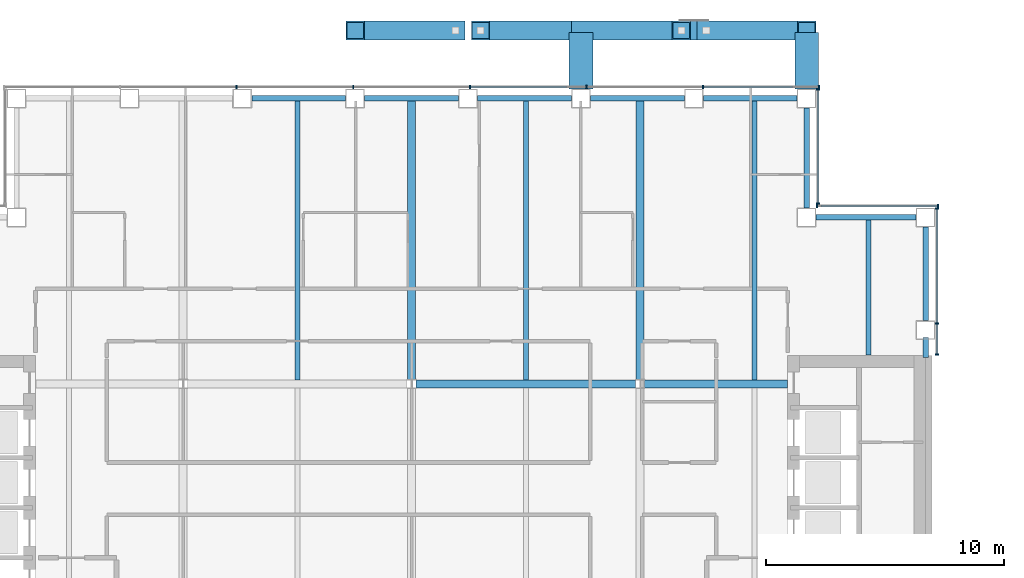
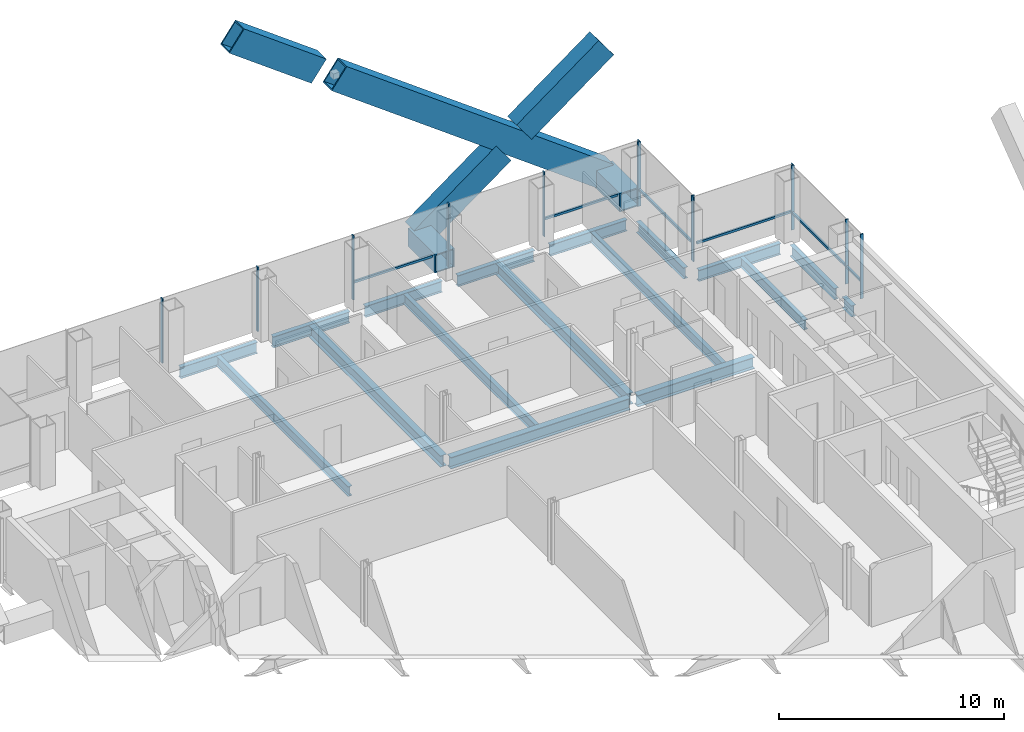
# One storey, part 8 of 16: 23 members, 19 beams, 4 elements without a shape of their own.
"""IFC4 building model written with IfcOpenShell, lengths in metres."""

from ifc_helpers import new_model, si_unit, direction, frame, origin, origin_2d, place, context, subcontext, project, spatial, rectangle, hollow_rectangle, i_section, extrude, material, material_profile, profile_set, type_object, element, aggregate, save


model = new_model("IFC4")

# Units and contexts
model_context = context("Model", 3, precision=1e-05, world=origin(), true_north=direction((0.0, 1.0)))
body_context = subcontext(model_context, "Body", "Model", "MODEL_VIEW")
ifc_project = project(units=[si_unit("LENGTHUNIT", "METRE"), si_unit("AREAUNIT", "SQUARE_METRE"), si_unit("VOLUMEUNIT", "CUBIC_METRE"), si_unit("PLANEANGLEUNIT", "RADIAN"), si_unit("MASSUNIT", "GRAM", prefix="KILO")], contexts=[model_context])

# Site, building, storey
site_placement = place(None, origin())
site = spatial("IfcSite", under=ifc_project, at=site_placement, CompositionType="ELEMENT")
building_placement = place(site_placement, origin())
building = spatial("IfcBuilding", under=site, at=building_placement, Name="Cobrizo Arcos Hotel Tower", CompositionType="ELEMENT")
storey_placement = place(building_placement, frame((0.0, 0.0, 172.5)))
storey = spatial("IfcBuildingStorey", under=building, at=storey_placement, Name="L44", CompositionType="ELEMENT", Elevation=172.5)

# Beams
ifc_material_1 = material(Name="Steel ASTM A572 Grade 50", Category="steel")
ifc_material_profile_1 = material_profile(ifc_material_1, hollow_rectangle(XDim=1.0, YDim=1.0, WallThickness=0.06005859375, at=origin_2d()), Name="BOX 1000X1000X60")
ifc_profile_set_1 = profile_set([ifc_material_profile_1], Name="Steel ASTM A572 Grade 50")
beam_type_1 = type_object("IfcBeamType", Name="BOX 1000X1000X60 brace connector strut", PredefinedType="BEAM", material=ifc_profile_set_1)
for number, where, z_axis, x_axis, name in (
    (1, (7.1142578125, 21.989990234375, 0.5), (0.0, 1.0, 0.0), (-1.0, 0.0, 0.0), "Perimeter brace stub BS1, zone Z3, north face, offset +7.11 m, L44"),
    (2, (16.60009765625, 21.989990234375, 0.5), (0.0, 1.0, 0.0), (-1.0, 0.0, 0.0), "Perimeter brace stub BS1, zone Z3, north face, offset +16.60 m, L44"),
):
    element("IfcBeam", number, at=place(storey_placement, frame(where, z_axis=z_axis, x_axis=x_axis)), inside=storey, type_object=beam_type_1, Name=name, PredefinedType="BEAM", context=body_context, shape_type="SweptSolid", body=[
        extrude(hollow_rectangle(XDim=1.0, YDim=1.0, WallThickness=0.06005859375, at=origin_2d()), origin(), (0.0, 0.0, 1.0), 2.380126953125),
    ])

# Members
ifc_material_profile_2 = material_profile(ifc_material_1, hollow_rectangle(XDim=0.800048828125, YDim=1.300048828125, WallThickness=0.06005859375, at=origin_2d()), Name="BOX 800X1300X60")
ifc_profile_set_2 = profile_set([ifc_material_profile_2], Name="Steel ASTM A572 Grade 50")
member_type_1 = type_object("IfcMemberType", Name="BOX 800X1300X60 perimeter brace", PredefinedType="BRACE", material=ifc_profile_set_2)
member_1_placement = place(storey_placement, frame((16.60009765625, 24.449951171875, 0.5), z_axis=(-0.804630166974, 0.0, 0.593776299961), x_axis=(0.0, -1.0, 0.0)))
element("IfcMember", 3, at=member_1_placement, inside=storey, type_object=member_type_1, Name="Perimeter brace PBR3, zone Z3, north face, no. 14", PredefinedType="BRACE", context=body_context, shape_type="SweptSolid", body=[
    extrude(hollow_rectangle(XDim=0.800048828125, YDim=1.300048828125, WallThickness=0.06005859375, at=origin_2d()), origin(), (0.0, 0.0, 1.0), 17.033447265625),
])
member_2_placement = place(storey_placement, frame((1.84814453125, 24.449951171875, 11.385986328125), z_axis=(-0.804607444048, 0.0, 0.593807090715), x_axis=(0.0, -1.0, 0.0)))
element("IfcMember", 4, at=member_2_placement, inside=storey, type_object=member_type_1, Name="Perimeter brace PBR3, zone Z3, north face, no. 14b", PredefinedType="BRACE", context=body_context, shape_type="SweptSolid", body=[
    extrude(hollow_rectangle(XDim=0.800048828125, YDim=1.300048828125, WallThickness=0.06005859375, at=origin_2d()), origin(), (0.0, 0.0, 1.0), 5.244140625),
])
for number, where, z_axis, x_axis, name in (
    (5, (7.1142578125, 24.449951171875, 0.5), (0.804623858684, 0.0, 0.593784848271), (0.0, 1.0, 0.0), "Perimeter brace PBR3, zone Z3, north face, no. 15"),
    (6, (12.38037109375, 24.449951171875, 4.385986328125), (0.804623858684, 0.0, 0.593784848271), (0.0, 1.0, 0.0), "Perimeter brace PBR3, zone Z3, north face, no. 15b"),
):
    element("IfcMember", number, at=place(storey_placement, frame(where, z_axis=z_axis, x_axis=x_axis)), inside=storey, type_object=member_type_1, Name=name, PredefinedType="BRACE", context=body_context, shape_type="SweptSolid", body=[
        extrude(hollow_rectangle(XDim=0.800048828125, YDim=1.300048828125, WallThickness=0.06005859375, at=origin_2d()), origin(), (0.0, 0.0, 1.0), 5.244384765625),
    ])

# Curtain wall, members
ifc_material_2 = material(Name="Aluminium 6063-T6 anodised bronze", Category="aluminium")
curtain_wall_type = type_object("IfcCurtainWallType", Name="CW-A guest facade", PredefinedType="NOTDEFINED", material=ifc_material_2)
curtain_wall_1_placement = place(storey_placement, origin())
curtain_wall_1 = element("IfcCurtainWall", 7, at=curtain_wall_1_placement, inside=storey, type_object=curtain_wall_type, Name="CW-A L44 E face", PredefinedType="NOTDEFINED")
ifc_material_profile_3 = material_profile(ifc_material_2, rectangle(XDim=0.14990234375, YDim=0.06005859375, at=origin_2d()), Name="CW-A mullion 150x60")
ifc_profile_set_3 = profile_set([ifc_material_profile_3], Name="Aluminium 6063-T6 anodised bronze")
member_type_2 = type_object("IfcMemberType", Name="CW-A mullion 150x60", PredefinedType="MULLION", material=ifc_profile_set_3)
member_3_placement = place(storey_placement, frame((22.074951171875, 10.830078125, 0.0), z_axis=(0.0, 0.0, 1.0), x_axis=(1.0, 0.0, 0.0)))
member_3 = element("IfcMember", 8, at=member_3_placement, type_object=member_type_2, Name="CW-A mullion 1", PredefinedType="MULLION", context=body_context, shape_type="SweptSolid", body=[
    extrude(rectangle(XDim=0.14990234375, YDim=0.06005859375, at=origin_2d()), origin(), (0.0, 0.0, 1.0), 3.5),
])
member_4_placement = place(storey_placement, frame((22.074951171875, 12.142822265625, 0.0), z_axis=(0.0, 0.0, 1.0), x_axis=(1.0, 0.0, 0.0)))
member_4 = element("IfcMember", 9, at=member_4_placement, type_object=member_type_2, Name="CW-A mullion 2", PredefinedType="MULLION", context=body_context, shape_type="SweptSolid", body=[
    extrude(rectangle(XDim=0.14990234375, YDim=0.06005859375, at=origin_2d()), origin(), (0.0, 0.0, 1.0), 3.5),
])
member_5_placement = place(storey_placement, frame((22.074951171875, 16.969970703125, 0.0), z_axis=(0.0, 0.0, 1.0), x_axis=(1.0, 0.0, 0.0)))
member_5 = element("IfcMember", 10, at=member_5_placement, type_object=member_type_2, Name="CW-A mullion 3", PredefinedType="MULLION", context=body_context, shape_type="SweptSolid", body=[
    extrude(rectangle(XDim=0.14990234375, YDim=0.06005859375, at=origin_2d()), origin(), (0.0, 0.0, 1.0), 3.5),
])

curtain_wall_2_placement = place(storey_placement, origin())
curtain_wall_2 = element("IfcCurtainWall", 11, at=curtain_wall_2_placement, inside=storey, type_object=curtain_wall_type, Name="CW-A L44 N face", PredefinedType="NOTDEFINED")
member_6_placement = place(storey_placement, frame((22.1201171875, 17.074951171875, 0.0), z_axis=(0.0, 0.0, 1.0), x_axis=(0.0, 1.0, 0.0)))
member_6 = element("IfcMember", 12, at=member_6_placement, type_object=member_type_2, Name="CW-A mullion 1", PredefinedType="MULLION", context=body_context, shape_type="SweptSolid", body=[
    extrude(rectangle(XDim=0.14990234375, YDim=0.06005859375, at=origin_2d()), origin(), (0.0, 0.0, 1.0), 3.5),
])
member_7_placement = place(storey_placement, frame((17.030029296875, 17.074951171875, 0.0), z_axis=(0.0, 0.0, 1.0), x_axis=(0.0, 1.0, 0.0)))
member_7 = element("IfcMember", 13, at=member_7_placement, type_object=member_type_2, Name="CW-A mullion 2", PredefinedType="MULLION", context=body_context, shape_type="SweptSolid", body=[
    extrude(rectangle(XDim=0.14990234375, YDim=0.06005859375, at=origin_2d()), origin(), (0.0, 0.0, 1.0), 3.5),
])

curtain_wall_3_placement = place(storey_placement, origin())
curtain_wall_3 = element("IfcCurtainWall", 14, at=curtain_wall_3_placement, inside=storey, type_object=curtain_wall_type, Name="CW-A L44 E face", PredefinedType="NOTDEFINED")
member_8_placement = place(storey_placement, frame((17.074951171875, 17.179931640625, 0.0), z_axis=(0.0, 0.0, 1.0), x_axis=(1.0, 0.0, 0.0)))
member_8 = element("IfcMember", 15, at=member_8_placement, type_object=member_type_2, Name="CW-A mullion 1", PredefinedType="MULLION", context=body_context, shape_type="SweptSolid", body=[
    extrude(rectangle(XDim=0.14990234375, YDim=0.06005859375, at=origin_2d()), origin(), (0.0, 0.0, 1.0), 3.5),
])
member_9_placement = place(storey_placement, frame((17.074951171875, 21.969970703125, 0.0), z_axis=(0.0, 0.0, 1.0), x_axis=(1.0, 0.0, 0.0)))
member_9 = element("IfcMember", 16, at=member_9_placement, type_object=member_type_2, Name="CW-A mullion 2", PredefinedType="MULLION", context=body_context, shape_type="SweptSolid", body=[
    extrude(rectangle(XDim=0.14990234375, YDim=0.06005859375, at=origin_2d()), origin(), (0.0, 0.0, 1.0), 3.5),
])

curtain_wall_4_placement = place(storey_placement, origin())
curtain_wall_4 = element("IfcCurtainWall", 17, at=curtain_wall_4_placement, inside=storey, type_object=curtain_wall_type, Name="CW-A L44 N face", PredefinedType="NOTDEFINED")
member_10_placement = place(storey_placement, frame((17.1201171875, 22.074951171875, 0.0), z_axis=(0.0, 0.0, 1.0), x_axis=(0.0, 1.0, 0.0)))
member_10 = element("IfcMember", 18, at=member_10_placement, type_object=member_type_2, Name="CW-A mullion 1", PredefinedType="MULLION", context=body_context, shape_type="SweptSolid", body=[
    extrude(rectangle(XDim=0.14990234375, YDim=0.06005859375, at=origin_2d()), origin(), (0.0, 0.0, 1.0), 3.5),
])
member_11_placement = place(storey_placement, frame((12.25, 22.074951171875, 0.0), z_axis=(0.0, 0.0, 1.0), x_axis=(0.0, 1.0, 0.0)))
member_11 = element("IfcMember", 19, at=member_11_placement, type_object=member_type_2, Name="CW-A mullion 2", PredefinedType="MULLION", context=body_context, shape_type="SweptSolid", body=[
    extrude(rectangle(XDim=0.14990234375, YDim=0.06005859375, at=origin_2d()), origin(), (0.0, 0.0, 1.0), 3.5),
])
member_12_placement = place(storey_placement, frame((7.35009765625, 22.074951171875, 0.0), z_axis=(0.0, 0.0, 1.0), x_axis=(0.0, 1.0, 0.0)))
member_12 = element("IfcMember", 20, at=member_12_placement, type_object=member_type_2, Name="CW-A mullion 3", PredefinedType="MULLION", context=body_context, shape_type="SweptSolid", body=[
    extrude(rectangle(XDim=0.14990234375, YDim=0.06005859375, at=origin_2d()), origin(), (0.0, 0.0, 1.0), 3.5),
])
member_13_placement = place(storey_placement, frame((2.449951171875, 22.074951171875, 0.0), z_axis=(0.0, 0.0, 1.0), x_axis=(0.0, 1.0, 0.0)))
member_13 = element("IfcMember", 21, at=member_13_placement, type_object=member_type_2, Name="CW-A mullion 4", PredefinedType="MULLION", context=body_context, shape_type="SweptSolid", body=[
    extrude(rectangle(XDim=0.14990234375, YDim=0.06005859375, at=origin_2d()), origin(), (0.0, 0.0, 1.0), 3.5),
])
member_14_placement = place(storey_placement, frame((-2.449951171875, 22.074951171875, 0.0), z_axis=(0.0, 0.0, 1.0), x_axis=(0.0, 1.0, 0.0)))
member_14 = element("IfcMember", 22, at=member_14_placement, type_object=member_type_2, Name="CW-A mullion 5", PredefinedType="MULLION", context=body_context, shape_type="SweptSolid", body=[
    extrude(rectangle(XDim=0.14990234375, YDim=0.06005859375, at=origin_2d()), origin(), (0.0, 0.0, 1.0), 3.5),
])
member_15_placement = place(storey_placement, frame((-7.35009765625, 22.074951171875, 0.0), z_axis=(0.0, 0.0, 1.0), x_axis=(0.0, 1.0, 0.0)))
member_15 = element("IfcMember", 23, at=member_15_placement, type_object=member_type_2, Name="CW-A mullion 6", PredefinedType="MULLION", context=body_context, shape_type="SweptSolid", body=[
    extrude(rectangle(XDim=0.14990234375, YDim=0.06005859375, at=origin_2d()), origin(), (0.0, 0.0, 1.0), 3.5),
])

# Member
ifc_material_profile_4 = material_profile(ifc_material_2, rectangle(XDim=0.10009765625, YDim=0.1201171875, at=origin_2d()), Name="CW-A transom 120x100")
ifc_profile_set_4 = profile_set([ifc_material_profile_4], Name="Aluminium 6063-T6 anodised bronze")
member_type_3 = type_object("IfcMemberType", Name="CW-A transom 120x100", PredefinedType="USERDEFINED", material=ifc_profile_set_4)
member_16_placement = place(storey_placement, frame((22.074951171875, 10.860107421875, 0.929931640625), z_axis=(0.0, 1.0, 0.0), x_axis=(-1.0, 0.0, 0.0)))
member_16 = element("IfcMember", 24, at=member_16_placement, type_object=member_type_3, Name="CW-A transom 1557", ObjectType="TRANSOM", PredefinedType="USERDEFINED", context=body_context, shape_type="SweptSolid", body=[
    extrude(rectangle(XDim=0.10009765625, YDim=0.1201171875, at=origin_2d()), origin(), (0.0, 0.0, 1.0), 1.252685546875),
])

member_17_placement = place(storey_placement, frame((22.074951171875, 12.1728515625, 0.929931640625), z_axis=(0.0, 1.0, 0.0), x_axis=(-1.0, 0.0, 0.0)))
member_17 = element("IfcMember", 25, at=member_17_placement, type_object=member_type_3, Name="CW-A transom 1558", ObjectType="TRANSOM", PredefinedType="USERDEFINED", context=body_context, shape_type="SweptSolid", body=[
    extrude(rectangle(XDim=0.10009765625, YDim=0.1201171875, at=origin_2d()), origin(), (0.0, 0.0, 1.0), 4.76708984375),
])

aggregate(curtain_wall_1, [member_3, member_4, member_5, member_16, member_17])

member_18_placement = place(storey_placement, frame((22.090087890625, 17.074951171875, 0.929931640625), z_axis=(-1.0, 0.0, 0.0), x_axis=(0.0, -1.0, 0.0)))
member_18 = element("IfcMember", 26, at=member_18_placement, type_object=member_type_3, Name="CW-A transom 1559", ObjectType="TRANSOM", PredefinedType="USERDEFINED", context=body_context, shape_type="SweptSolid", body=[
    extrude(rectangle(XDim=0.10009765625, YDim=0.1201171875, at=origin_2d()), origin(), (0.0, 0.0, 1.0), 4.89013671875),
])

aggregate(curtain_wall_2, [member_6, member_7, member_18])

member_19_placement = place(storey_placement, frame((17.074951171875, 17.2099609375, 0.929931640625), z_axis=(0.0, 1.0, 0.0), x_axis=(-1.0, 0.0, 0.0)))
member_19 = element("IfcMember", 27, at=member_19_placement, type_object=member_type_3, Name="CW-A transom 1560", ObjectType="TRANSOM", PredefinedType="USERDEFINED", context=body_context, shape_type="SweptSolid", body=[
    extrude(rectangle(XDim=0.10009765625, YDim=0.1201171875, at=origin_2d()), origin(), (0.0, 0.0, 1.0), 4.679931640625),
])

aggregate(curtain_wall_3, [member_8, member_9, member_19])

member_20_placement = place(storey_placement, frame((16.0, 22.074951171875, 0.929931640625), z_axis=(-1.0, 0.0, 0.0), x_axis=(0.0, -1.0, 0.0)))
member_20 = element("IfcMember", 28, at=member_20_placement, type_object=member_type_3, Name="CW-A transom 1561", ObjectType="TRANSOM", PredefinedType="USERDEFINED", context=body_context, shape_type="SweptSolid", body=[
    extrude(rectangle(XDim=0.10009765625, YDim=0.1201171875, at=origin_2d()), origin(), (0.0, 0.0, 1.0), 3.719970703125),
])

member_21_placement = place(storey_placement, frame((6.514404296875, 22.074951171875, 0.929931640625), z_axis=(-1.0, 0.0, 0.0), x_axis=(0.0, -1.0, 0.0)))
member_21 = element("IfcMember", 29, at=member_21_placement, type_object=member_type_3, Name="CW-A transom 1563", ObjectType="TRANSOM", PredefinedType="USERDEFINED", context=body_context, shape_type="SweptSolid", body=[
    extrude(rectangle(XDim=0.10009765625, YDim=0.1201171875, at=origin_2d()), origin(), (0.0, 0.0, 1.0), 4.034423828125),
])

aggregate(curtain_wall_4, [member_10, member_11, member_12, member_13, member_14, member_15, member_20, member_21])

# Beams
ifc_material_3 = material(Name="Steel ASTM A992 Grade 50", Category="steel")
ifc_material_profile_5 = material_profile(ifc_material_3, i_section(OverallWidth=0.209228515625, OverallDepth=0.533447265625, WebThickness=0.01025390625, FlangeThickness=0.015625, at=origin_2d()), Name="W21X62")
ifc_profile_set_5 = profile_set([ifc_material_profile_5], Name="Steel ASTM A992 Grade 50")
beam_type_2 = type_object("IfcBeamType", Name="W21X62 joist", PredefinedType="JOIST", material=ifc_profile_set_5)
for number, where, z_axis, x_axis, name in (
    (30, (-4.800048828125, 9.763916015625, -0.416748046875), (0.0, 1.0, 0.0), (-1.0, 0.0, 0.0), "Floor joist J1, L44, no. 010"),
    (31, (4.800048828125, 9.763916015625, -0.416748046875), (0.0, 1.0, 0.0), (-1.0, 0.0, 0.0), "Floor joist J1, L44, no. 014"),
    (32, (14.39990234375, 9.763916015625, -0.416748046875), (0.0, 1.0, 0.0), (-1.0, 0.0, 0.0), "Floor joist J1, L44, no. 018"),
):
    element("IfcBeam", number, at=place(storey_placement, frame(where, z_axis=z_axis, x_axis=x_axis)), inside=storey, type_object=beam_type_2, Name=name, PredefinedType="JOIST", context=body_context, shape_type="SweptSolid", body=[
        extrude(i_section(OverallWidth=0.209228515625, OverallDepth=0.533447265625, WebThickness=0.01025390625, FlangeThickness=0.015625, at=origin_2d()), origin(), (0.0, 0.0, 1.0), 11.74609375),
    ])
beam_1_placement = place(storey_placement, frame((19.199951171875, 10.81005859375, -0.416748046875), z_axis=(0.0, 1.0, 0.0), x_axis=(-1.0, 0.0, 0.0)))
element("IfcBeam", 33, at=beam_1_placement, inside=storey, type_object=beam_type_2, Name="Floor joist J1, L44, no. 020", PredefinedType="JOIST", context=body_context, shape_type="SweptSolid", body=[
    extrude(i_section(OverallWidth=0.209228515625, OverallDepth=0.533447265625, WebThickness=0.01025390625, FlangeThickness=0.015625, at=origin_2d()), origin(), (0.0, 0.0, 1.0), 5.699951171875),
])
ifc_material_profile_6 = material_profile(ifc_material_3, i_section(OverallWidth=0.32763671875, OverallDepth=0.622314453125, WebThickness=0.015380859375, FlangeThickness=0.0244140625, at=origin_2d()), Name="W24X131")
ifc_profile_set_6 = profile_set([ifc_material_profile_6], Name="Steel ASTM A992 Grade 50")
beam_type_3 = type_object("IfcBeamType", Name="W24X131 girder", PredefinedType="BEAM", material=ifc_profile_set_6)
beam_2_placement = place(storey_placement, frame((0.186767578125, 9.60009765625, -0.461181640625), z_axis=(1.0, 0.0, 0.0), x_axis=(0.0, 1.0, 0.0)))
element("IfcBeam", 34, at=beam_2_placement, inside=storey, type_object=beam_type_3, Name="Floor girder G1, L44, no. 011", PredefinedType="BEAM", context=body_context, shape_type="SweptSolid", body=[
    extrude(i_section(OverallWidth=0.32763671875, OverallDepth=0.622314453125, WebThickness=0.015380859375, FlangeThickness=0.0244140625, at=origin_2d()), origin(), (0.0, 0.0, 1.0), 9.2265625),
])
beam_3_placement = place(storey_placement, frame((9.78662109375, 9.60009765625, -0.461181640625), z_axis=(1.0, 0.0, 0.0), x_axis=(0.0, 1.0, 0.0)))
element("IfcBeam", 35, at=beam_3_placement, inside=storey, type_object=beam_type_3, Name="Floor girder G1, L44, no. 012", PredefinedType="BEAM", context=body_context, shape_type="SweptSolid", body=[
    extrude(i_section(OverallWidth=0.32763671875, OverallDepth=0.622314453125, WebThickness=0.015380859375, FlangeThickness=0.0244140625, at=origin_2d()), origin(), (0.0, 0.0, 1.0), 6.00341796875),
])
for number, where, z_axis, x_axis, name in (
    (36, (0.0, 9.78662109375, -0.461181640625), (0.0, 1.0, 0.0), (-1.0, 0.0, 0.0), "Floor girder G1, L44, no. 020"),
    (37, (9.60009765625, 9.78662109375, -0.461181640625), (0.0, 1.0, 0.0), (-1.0, 0.0, 0.0), "Floor girder G1, L44, no. 024"),
):
    element("IfcBeam", number, at=place(storey_placement, frame(where, z_axis=z_axis, x_axis=x_axis)), inside=storey, type_object=beam_type_3, Name=name, PredefinedType="BEAM", context=body_context, shape_type="SweptSolid", body=[
        extrude(i_section(OverallWidth=0.32763671875, OverallDepth=0.622314453125, WebThickness=0.015380859375, FlangeThickness=0.0244140625, at=origin_2d()), origin(), (0.0, 0.0, 1.0), 11.723388671875),
    ])
ifc_material_profile_7 = material_profile(ifc_material_3, i_section(OverallWidth=0.228271484375, OverallDepth=0.607177734375, WebThickness=0.01123046875, FlangeThickness=0.017333984375, at=origin_2d()), Name="W24X76")
ifc_profile_set_7 = profile_set([ifc_material_profile_7], Name="Steel ASTM A992 Grade 50")
beam_type_4 = type_object("IfcBeamType", Name="W24X76 spandrel", PredefinedType="SPANDREL", material=ifc_profile_set_7)
beam_4_placement = place(storey_placement, frame((21.60009765625, 10.7099609375, -0.45361328125), z_axis=(0.0, 1.0, 0.0), x_axis=(-1.0, 0.0, 0.0)))
element("IfcBeam", 38, at=beam_4_placement, inside=storey, type_object=beam_type_4, Name="Spandrel beam W24X76, L44, no. 012", PredefinedType="SPANDREL", context=body_context, shape_type="SweptSolid", body=[
    extrude(i_section(OverallWidth=0.228271484375, OverallDepth=0.607177734375, WebThickness=0.01123046875, FlangeThickness=0.017333984375, at=origin_2d()), origin(), (0.0, 0.0, 1.0), 0.846923828125),
])
beam_5_placement = place(storey_placement, frame((21.60009765625, 12.257080078125, -0.45361328125), z_axis=(0.0, 1.0, 0.0), x_axis=(-1.0, 0.0, 0.0)))
element("IfcBeam", 39, at=beam_5_placement, inside=storey, type_object=beam_type_4, Name="Spandrel beam W24X76, L44, no. 013", PredefinedType="SPANDREL", context=body_context, shape_type="SweptSolid", body=[
    extrude(i_section(OverallWidth=0.228271484375, OverallDepth=0.607177734375, WebThickness=0.01123046875, FlangeThickness=0.017333984375, at=origin_2d()), origin(), (0.0, 0.0, 1.0), 3.94287109375),
])
for number, where, z_axis, x_axis, name in (
    (40, (21.199951171875, 16.60009765625, -0.45361328125), (-1.0, 0.0, 0.0), (0.0, -1.0, 0.0), "Spandrel beam W24X76, L44, no. 014"),
    (41, (16.60009765625, 17.0, -0.45361328125), (0.0, 1.0, 0.0), (-1.0, 0.0, 0.0), "Spandrel beam W24X76, L44, no. 015"),
):
    element("IfcBeam", number, at=place(storey_placement, frame(where, z_axis=z_axis, x_axis=x_axis)), inside=storey, type_object=beam_type_4, Name=name, PredefinedType="SPANDREL", context=body_context, shape_type="SweptSolid", body=[
        extrude(i_section(OverallWidth=0.228271484375, OverallDepth=0.607177734375, WebThickness=0.01123046875, FlangeThickness=0.017333984375, at=origin_2d()), origin(), (0.0, 0.0, 1.0), 4.199951171875),
    ])
beam_6_placement = place(storey_placement, frame((16.199951171875, 21.60009765625, -0.45361328125), z_axis=(-1.0, 0.0, 0.0), x_axis=(0.0, -1.0, 0.0)))
element("IfcBeam", 42, at=beam_6_placement, inside=storey, type_object=beam_type_4, Name="Spandrel beam W24X76, L44, no. 016", PredefinedType="SPANDREL", context=body_context, shape_type="SweptSolid", body=[
    extrude(i_section(OverallWidth=0.228271484375, OverallDepth=0.607177734375, WebThickness=0.01123046875, FlangeThickness=0.017333984375, at=origin_2d()), origin(), (0.0, 0.0, 1.0), 3.94287109375),
])
for number, where, z_axis, x_axis, name in (
    (43, (11.45703125, 21.60009765625, -0.45361328125), (-1.0, 0.0, 0.0), (0.0, -1.0, 0.0), "Spandrel beam W24X76, L44, no. 017"),
    (44, (6.714111328125, 21.60009765625, -0.45361328125), (-1.0, 0.0, 0.0), (0.0, -1.0, 0.0), "Spandrel beam W24X76, L44, no. 018"),
):
    element("IfcBeam", number, at=place(storey_placement, frame(where, z_axis=z_axis, x_axis=x_axis)), inside=storey, type_object=beam_type_4, Name=name, PredefinedType="SPANDREL", context=body_context, shape_type="SweptSolid", body=[
        extrude(i_section(OverallWidth=0.228271484375, OverallDepth=0.607177734375, WebThickness=0.01123046875, FlangeThickness=0.017333984375, at=origin_2d()), origin(), (0.0, 0.0, 1.0), 3.943115234375),
    ])
beam_7_placement = place(storey_placement, frame((1.970947265625, 21.60009765625, -0.45361328125), z_axis=(-1.0, 0.0, 0.0), x_axis=(0.0, -1.0, 0.0)))
element("IfcBeam", 45, at=beam_7_placement, inside=storey, type_object=beam_type_4, Name="Spandrel beam W24X76, L44, no. 019", PredefinedType="SPANDREL", context=body_context, shape_type="SweptSolid", body=[
    extrude(i_section(OverallWidth=0.228271484375, OverallDepth=0.607177734375, WebThickness=0.01123046875, FlangeThickness=0.017333984375, at=origin_2d()), origin(), (0.0, 0.0, 1.0), 3.94189453125),
])
beam_8_placement = place(storey_placement, frame((-2.77099609375, 21.60009765625, -0.45361328125), z_axis=(-1.0, 0.0, 0.0), x_axis=(0.0, -1.0, 0.0)))
element("IfcBeam", 46, at=beam_8_placement, inside=storey, type_object=beam_type_4, Name="Spandrel beam W24X76, L44, no. 020", PredefinedType="SPANDREL", context=body_context, shape_type="SweptSolid", body=[
    extrude(i_section(OverallWidth=0.228271484375, OverallDepth=0.607177734375, WebThickness=0.01123046875, FlangeThickness=0.017333984375, at=origin_2d()), origin(), (0.0, 0.0, 1.0), 3.943115234375),
])

save(model, "model.ifc")
